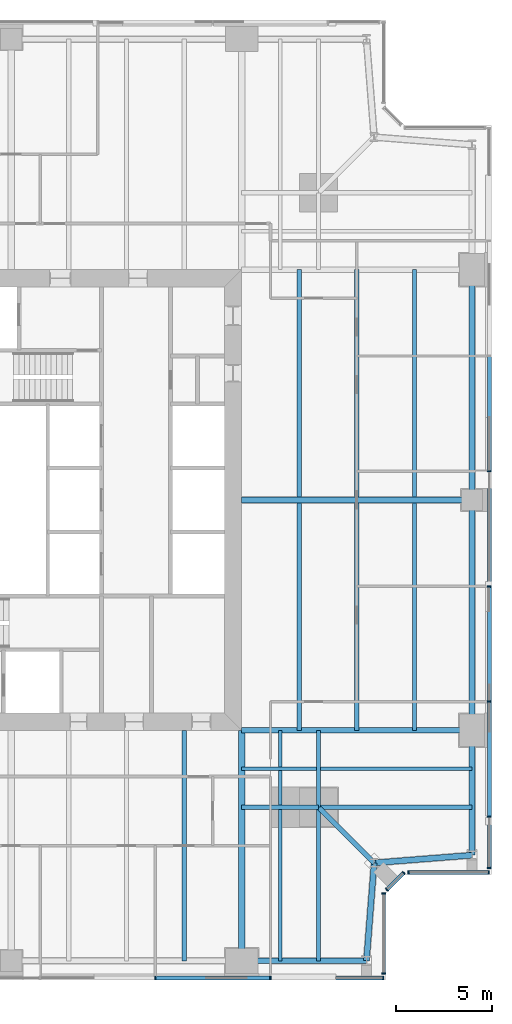
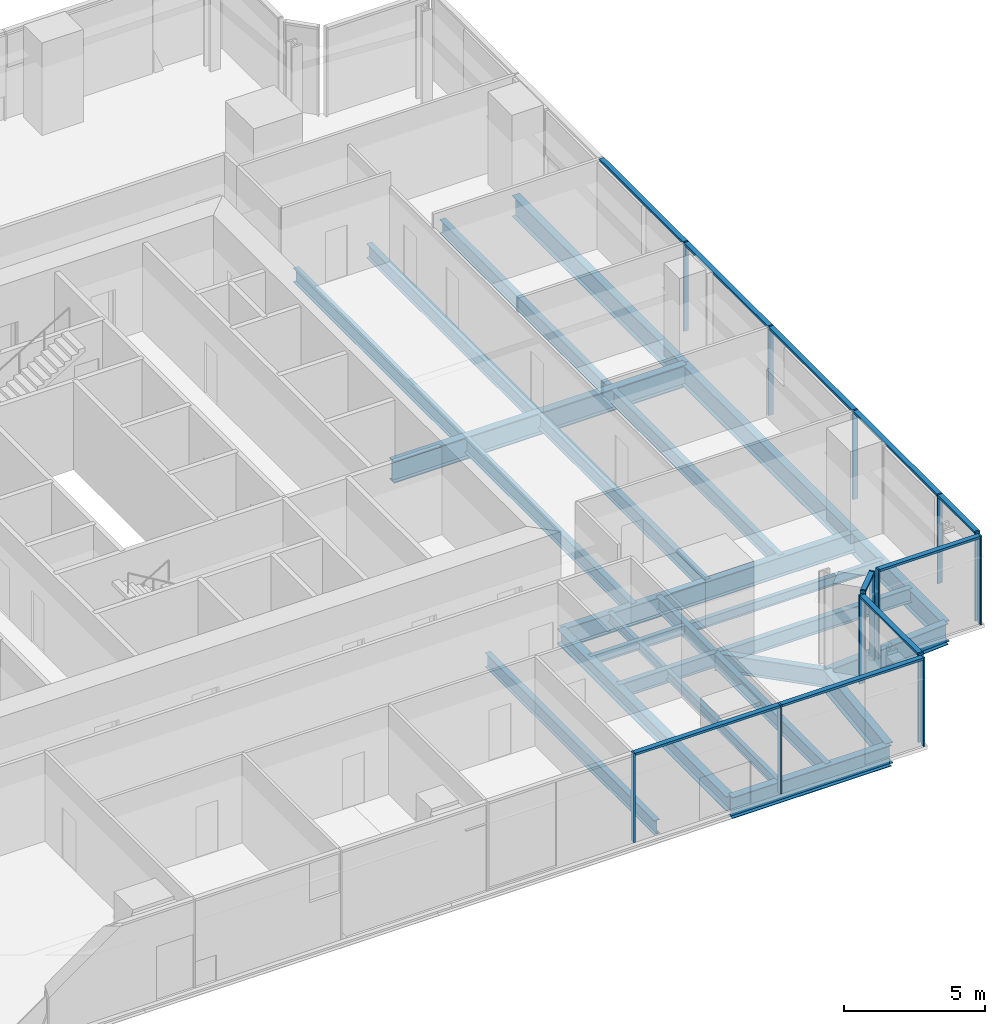
# One storey, part 5 of 14: 26 beams, 24 members, 5 elements without a shape of their own.
"""IFC4 building model written with IfcOpenShell, lengths in metres."""

from ifc_helpers import new_model, si_unit, direction, frame, origin, origin_2d, place, context, subcontext, project, spatial, rectangle, i_section, extrude, material, material_profile, profile_set, type_object, element, aggregate, save


model = new_model("IFC4")

# Units and contexts
model_context = context("Model", 3, precision=1e-05, world=origin(), true_north=direction((0.0, 1.0)))
body_context = subcontext(model_context, "Body", "Model", "MODEL_VIEW")
ifc_project = project(units=[si_unit("LENGTHUNIT", "METRE"), si_unit("AREAUNIT", "SQUARE_METRE"), si_unit("VOLUMEUNIT", "CUBIC_METRE"), si_unit("PLANEANGLEUNIT", "RADIAN"), si_unit("MASSUNIT", "GRAM", prefix="KILO")], contexts=[model_context])

# Site, building, storey
site_placement = place(None, origin())
site = spatial("IfcSite", under=ifc_project, at=site_placement, CompositionType="ELEMENT")
building_placement = place(site_placement, origin())
building = spatial("IfcBuilding", under=site, at=building_placement, Name="Fenwick Lantern Interchange", CompositionType="ELEMENT")
storey_placement = place(building_placement, frame((0.0, 0.0, 225.800048828125)))
storey = spatial("IfcBuildingStorey", under=building, at=storey_placement, Name="L53", CompositionType="ELEMENT", Elevation=225.800048828125)

# Beams
ifc_material_1 = material(Name="Steel ASTM A992 Grade 50", Category="steel")
ifc_material_profile_1 = material_profile(ifc_material_1, i_section(OverallWidth=0.3046875, OverallDepth=0.911865234375, WebThickness=0.015869140625, FlangeThickness=0.02392578125, at=origin_2d()), Name="W36X150")
ifc_profile_set_1 = profile_set([ifc_material_profile_1], Name="Steel ASTM A992 Grade 50")
beam_type_1 = type_object("IfcBeamType", Name="EDGE BEAM W36X150", PredefinedType="SPANDREL", material=ifc_profile_set_1)
beam_1_placement = place(storey_placement, frame((37.0, 1.0, -0.60595703125), z_axis=(1.0, 0.0, 0.0), x_axis=(0.0, 1.0, 0.0)))
element("IfcBeam", 1, at=beam_1_placement, inside=storey, type_object=beam_type_1, Name="L53/FR/S/EB4", PredefinedType="SPANDREL", context=body_context, shape_type="SweptSolid", body=[
    extrude(i_section(OverallWidth=0.3046875, OverallDepth=0.911865234375, WebThickness=0.015869140625, FlangeThickness=0.02392578125, at=origin_2d()), origin(), (0.0, 0.0, 1.0), 6.5),
])
for number, where, z_axis, x_axis, name in (
    (2, (43.5, 1.0, -0.60595703125), (0.078170784639, 0.99693998236, 0.0), (-0.99693998236, 0.078170784639, 0.0), "L53/FR/S/EBR1"),
    (3, (43.89990234375, 6.10009765625, -0.60595703125), (0.99693998236, 0.078170784639, 0.0), (-0.078170784639, 0.99693998236, 0.0), "L53/FR/S/EBR2"),
):
    element("IfcBeam", number, at=place(storey_placement, frame(where, z_axis=z_axis, x_axis=x_axis)), inside=storey, type_object=beam_type_1, Name=name, PredefinedType="SPANDREL", context=body_context, shape_type="SweptSolid", body=[
        extrude(i_section(OverallWidth=0.3046875, OverallDepth=0.911865234375, WebThickness=0.015869140625, FlangeThickness=0.02392578125, at=origin_2d()), origin(), (0.0, 0.0, 1.0), 5.11572265625),
    ])
beam_2_placement = place(storey_placement, frame((49.0, 6.5, -0.60595703125), z_axis=(0.0, 1.0, 0.0), x_axis=(-1.0, 0.0, 0.0)))
element("IfcBeam", 4, at=beam_2_placement, inside=storey, type_object=beam_type_1, Name="L53/FR/E/EB1", PredefinedType="SPANDREL", context=body_context, shape_type="SweptSolid", body=[
    extrude(i_section(OverallWidth=0.3046875, OverallDepth=0.911865234375, WebThickness=0.015869140625, FlangeThickness=0.02392578125, at=origin_2d()), origin(), (0.0, 0.0, 1.0), 6.5),
])
for number, where, z_axis, x_axis, name in (
    (5, (49.0, 13.0, -0.60595703125), (0.0, 1.0, 0.0), (-1.0, 0.0, 0.0), "L53/FR/E/EB2"),
    (6, (49.0, 25.0, -0.60595703125), (0.0, 1.0, 0.0), (-1.0, 0.0, 0.0), "L53/FR/E/EB3"),
):
    element("IfcBeam", number, at=place(storey_placement, frame(where, z_axis=z_axis, x_axis=x_axis)), inside=storey, type_object=beam_type_1, Name=name, PredefinedType="SPANDREL", context=body_context, shape_type="SweptSolid", body=[
        extrude(i_section(OverallWidth=0.3046875, OverallDepth=0.911865234375, WebThickness=0.015869140625, FlangeThickness=0.02392578125, at=origin_2d()), origin(), (0.0, 0.0, 1.0), 12.0),
    ])
ifc_material_profile_2 = material_profile(ifc_material_1, i_section(OverallWidth=0.22900390625, OverallDepth=0.612060546875, WebThickness=0.011962890625, FlangeThickness=0.01953125, at=origin_2d()), Name="W24X84")
ifc_profile_set_2 = profile_set([ifc_material_profile_2], Name="Steel ASTM A992 Grade 50")
beam_type_2 = type_object("IfcBeamType", Name="FLOOR BEAM W24X84", PredefinedType="BEAM", material=ifc_profile_set_2)
beam_3_placement = place(storey_placement, frame((34.0, 1.0, -0.4560546875), z_axis=(0.0, 1.0, 0.0), x_axis=(-1.0, 0.0, 0.0)))
element("IfcBeam", 7, at=beam_3_placement, inside=storey, type_object=beam_type_2, Name="L53/FR/S/R08", PredefinedType="BEAM", context=body_context, shape_type="SweptSolid", body=[
    extrude(i_section(OverallWidth=0.22900390625, OverallDepth=0.612060546875, WebThickness=0.011962890625, FlangeThickness=0.01953125, at=origin_2d()), origin(), (0.0, 0.0, 1.0), 12.0),
])
for number, where, z_axis, x_axis, name in (
    (8, (46.0, 13.0, -0.4560546875), (0.0, 1.0, 0.0), (-1.0, 0.0, 0.0), "L53/FR/E/B01"),
    (9, (43.0, 13.0, -0.4560546875), (0.0, 1.0, 0.0), (-1.0, 0.0, 0.0), "L53/FR/E/B02"),
    (10, (40.0, 13.0, -0.4560546875), (0.0, 1.0, 0.0), (-1.0, 0.0, 0.0), "L53/FR/E/B03"),
    (11, (46.0, 25.155029296875, -0.4560546875), (0.0, 1.0, 0.0), (-1.0, 0.0, 0.0), "L53/FR/E/B04"),
    (12, (43.0, 25.155029296875, -0.4560546875), (0.0, 1.0, 0.0), (-1.0, 0.0, 0.0), "L53/FR/E/B05"),
    (13, (40.0, 25.155029296875, -0.4560546875), (0.0, 1.0, 0.0), (-1.0, 0.0, 0.0), "L53/FR/E/B06"),
):
    element("IfcBeam", number, at=place(storey_placement, frame(where, z_axis=z_axis, x_axis=x_axis)), inside=storey, type_object=beam_type_2, Name=name, PredefinedType="BEAM", context=body_context, shape_type="SweptSolid", body=[
        extrude(i_section(OverallWidth=0.22900390625, OverallDepth=0.612060546875, WebThickness=0.011962890625, FlangeThickness=0.01953125, at=origin_2d()), origin(), (0.0, 0.0, 1.0), 11.844970703125),
    ])
ifc_material_profile_3 = material_profile(ifc_material_1, i_section(OverallWidth=0.177734375, OverallDepth=0.406494140625, WebThickness=0.0078125, FlangeThickness=0.012939453125, at=origin_2d()), Name="W16X40")
ifc_profile_set_3 = profile_set([ifc_material_profile_3], Name="Steel ASTM A992 Grade 50")
beam_type_3 = type_object("IfcBeamType", Name="INFILL BEAM W16X40", PredefinedType="JOIST", material=ifc_profile_set_3)
beam_4_placement = place(storey_placement, frame((49.0, 11.0, -0.353271484375), z_axis=(-1.0, 0.0, 0.0), x_axis=(0.0, -1.0, 0.0)))
element("IfcBeam", 14, at=beam_4_placement, inside=storey, type_object=beam_type_3, Name="L53/FR/E/J1", PredefinedType="JOIST", context=body_context, shape_type="SweptSolid", body=[
    extrude(i_section(OverallWidth=0.177734375, OverallDepth=0.406494140625, WebThickness=0.0078125, FlangeThickness=0.012939453125, at=origin_2d()), origin(), (0.0, 0.0, 1.0), 7.885498046875),
])
beam_5_placement = place(storey_placement, frame((40.885498046875, 11.0, -0.353271484375), z_axis=(-1.0, 0.0, 0.0), x_axis=(0.0, -1.0, 0.0)))
element("IfcBeam", 15, at=beam_5_placement, inside=storey, type_object=beam_type_3, Name="L53/FR/E/J2", PredefinedType="JOIST", context=body_context, shape_type="SweptSolid", body=[
    extrude(i_section(OverallWidth=0.177734375, OverallDepth=0.406494140625, WebThickness=0.0078125, FlangeThickness=0.012939453125, at=origin_2d()), origin(), (0.0, 0.0, 1.0), 3.885498046875),
])
beam_6_placement = place(storey_placement, frame((39.0, 1.0, -0.353271484375), z_axis=(0.0, 1.0, 0.0), x_axis=(-1.0, 0.0, 0.0)))
element("IfcBeam", 16, at=beam_6_placement, inside=storey, type_object=beam_type_3, Name="L53/FR/E/J3", PredefinedType="JOIST", context=body_context, shape_type="SweptSolid", body=[
    extrude(i_section(OverallWidth=0.177734375, OverallDepth=0.406494140625, WebThickness=0.0078125, FlangeThickness=0.012939453125, at=origin_2d()), origin(), (0.0, 0.0, 1.0), 7.885498046875),
])
beam_7_placement = place(storey_placement, frame((39.0, 9.114501953125, -0.353271484375), z_axis=(0.0, 1.0, 0.0), x_axis=(-1.0, 0.0, 0.0)))
element("IfcBeam", 17, at=beam_7_placement, inside=storey, type_object=beam_type_3, Name="L53/FR/E/J4", PredefinedType="JOIST", context=body_context, shape_type="SweptSolid", body=[
    extrude(i_section(OverallWidth=0.177734375, OverallDepth=0.406494140625, WebThickness=0.0078125, FlangeThickness=0.012939453125, at=origin_2d()), origin(), (0.0, 0.0, 1.0), 1.796630859375),
])
beam_8_placement = place(storey_placement, frame((39.0, 11.0888671875, -0.353271484375), z_axis=(0.0, 1.0, 0.0), x_axis=(-1.0, 0.0, 0.0)))
element("IfcBeam", 18, at=beam_8_placement, inside=storey, type_object=beam_type_3, Name="L53/FR/E/J5", PredefinedType="JOIST", context=body_context, shape_type="SweptSolid", body=[
    extrude(i_section(OverallWidth=0.177734375, OverallDepth=0.406494140625, WebThickness=0.0078125, FlangeThickness=0.012939453125, at=origin_2d()), origin(), (0.0, 0.0, 1.0), 1.9111328125),
])
ifc_material_profile_4 = material_profile(ifc_material_1, i_section(OverallWidth=0.22900390625, OverallDepth=0.612060546875, WebThickness=0.011962890625, FlangeThickness=0.01953125, at=origin_2d()), Name="W24X84")
ifc_profile_set_4 = profile_set([ifc_material_profile_4], Name="Steel ASTM A992 Grade 50")
beam_type_4 = type_object("IfcBeamType", Name="MEGA COLUMN BEAM W24X84", PredefinedType="BEAM", material=ifc_profile_set_4)
for number, where, z_axis, x_axis, name in (
    (19, (41.0, 9.0, -0.4560546875), (1.0, 0.0, 0.0), (0.0, 1.0, 0.0), "L53/FR/E/MB1"),
    (20, (41.0, 9.0, -0.4560546875), (0.0, -1.0, 0.0), (1.0, 0.0, 0.0), "L53/FR/E/MB2"),
):
    element("IfcBeam", number, at=place(storey_placement, frame(where, z_axis=z_axis, x_axis=x_axis)), inside=storey, type_object=beam_type_4, Name=name, PredefinedType="BEAM", context=body_context, shape_type="SweptSolid", body=[
        extrude(i_section(OverallWidth=0.22900390625, OverallDepth=0.612060546875, WebThickness=0.011962890625, FlangeThickness=0.01953125, at=origin_2d()), origin(), (0.0, 0.0, 1.0), 8.0),
    ])
for number, where, z_axis, x_axis, name in (
    (21, (41.0, 9.0, -0.4560546875), (0.0, 1.0, 0.0), (-1.0, 0.0, 0.0), "L53/FR/E/MB3"),
    (22, (41.0, 9.0, -0.4560546875), (-1.0, 0.0, 0.0), (0.0, -1.0, 0.0), "L53/FR/E/MB4"),
):
    element("IfcBeam", number, at=place(storey_placement, frame(where, z_axis=z_axis, x_axis=x_axis)), inside=storey, type_object=beam_type_4, Name=name, PredefinedType="BEAM", context=body_context, shape_type="SweptSolid", body=[
        extrude(i_section(OverallWidth=0.22900390625, OverallDepth=0.612060546875, WebThickness=0.011962890625, FlangeThickness=0.01953125, at=origin_2d()), origin(), (0.0, 0.0, 1.0), 4.0),
    ])
ifc_material_profile_5 = material_profile(ifc_material_1, i_section(OverallWidth=0.32763671875, OverallDepth=0.622314453125, WebThickness=0.015380859375, FlangeThickness=0.0244140625, at=origin_2d()), Name="W24X131")
ifc_profile_set_5 = profile_set([ifc_material_profile_5], Name="Steel ASTM A992 Grade 50")
beam_type_5 = type_object("IfcBeamType", Name="MOMENT-CONNECTED GIRDER W24X131", PredefinedType="BEAM", material=ifc_profile_set_5)
beam_9_placement = place(storey_placement, frame((37.0, 1.0, -0.461181640625), z_axis=(0.0, 1.0, 0.0), x_axis=(-1.0, 0.0, 0.0)))
element("IfcBeam", 23, at=beam_9_placement, inside=storey, type_object=beam_type_5, Name="L53/FR/S/R09", PredefinedType="BEAM", context=body_context, shape_type="SweptSolid", body=[
    extrude(i_section(OverallWidth=0.32763671875, OverallDepth=0.622314453125, WebThickness=0.015380859375, FlangeThickness=0.0244140625, at=origin_2d()), origin(), (0.0, 0.0, 1.0), 12.0),
])
ifc_material_profile_6 = material_profile(ifc_material_1, i_section(OverallWidth=0.2919921875, OverallDepth=0.845703125, WebThickness=0.015380859375, FlangeThickness=0.0244140625, at=origin_2d()), Name="W33X141")
ifc_profile_set_6 = profile_set([ifc_material_profile_6], Name="Steel ASTM A992 Grade 50")
beam_type_6 = type_object("IfcBeamType", Name="MOMENT-CONNECTED GIRDER W33X141", PredefinedType="BEAM", material=ifc_profile_set_6)
beam_10_placement = place(storey_placement, frame((49.0, 13.0, -0.572998046875), z_axis=(-1.0, 0.0, 0.0), x_axis=(0.0, -1.0, 0.0)))
element("IfcBeam", 24, at=beam_10_placement, inside=storey, type_object=beam_type_6, Name="L53/FR/E/R01", PredefinedType="BEAM", context=body_context, shape_type="SweptSolid", body=[
    extrude(i_section(OverallWidth=0.2919921875, OverallDepth=0.845703125, WebThickness=0.015380859375, FlangeThickness=0.0244140625, at=origin_2d()), origin(), (0.0, 0.0, 1.0), 12.0),
])
ifc_material_profile_7 = material_profile(ifc_material_1, i_section(OverallWidth=0.309814453125, OverallDepth=0.949951171875, WebThickness=0.0244140625, FlangeThickness=0.0439453125, at=origin_2d()), Name="W36X256")
ifc_profile_set_7 = profile_set([ifc_material_profile_7], Name="Steel ASTM A992 Grade 50")
beam_type_7 = type_object("IfcBeamType", Name="MOMENT-CONNECTED GIRDER W36X256", PredefinedType="BEAM", material=ifc_profile_set_7)
beam_11_placement = place(storey_placement, frame((49.0, 25.0, -0.625), z_axis=(-1.0, 0.0, 0.0), x_axis=(0.0, -1.0, 0.0)))
element("IfcBeam", 25, at=beam_11_placement, inside=storey, type_object=beam_type_7, Name="L53/FR/E/R02", PredefinedType="BEAM", context=body_context, shape_type="SweptSolid", body=[
    extrude(i_section(OverallWidth=0.309814453125, OverallDepth=0.949951171875, WebThickness=0.0244140625, FlangeThickness=0.0439453125, at=origin_2d()), origin(), (0.0, 0.0, 1.0), 12.0),
])
ifc_material_profile_8 = material_profile(ifc_material_1, i_section(OverallWidth=0.2666015625, OverallDepth=0.7568359375, WebThickness=0.013916015625, FlangeThickness=0.019287109375, at=origin_2d()), Name="W30X108")
ifc_profile_set_8 = profile_set([ifc_material_profile_8], Name="Steel ASTM A992 Grade 50")
beam_type_8 = type_object("IfcBeamType", Name="NOTCH BEAM W30X108", PredefinedType="BEAM", material=ifc_profile_set_8)
beam_12_placement = place(storey_placement, frame((41.0, 9.0, -0.528564453125), z_axis=(0.707106781187, -0.707106781187, 0.0), x_axis=(0.707106781187, 0.707106781187, 0.0)))
element("IfcBeam", 26, at=beam_12_placement, inside=storey, type_object=beam_type_8, Name="L53/FR/E/TG", PredefinedType="BEAM", context=body_context, shape_type="SweptSolid", body=[
    extrude(i_section(OverallWidth=0.2666015625, OverallDepth=0.7568359375, WebThickness=0.013916015625, FlangeThickness=0.019287109375, at=origin_2d()), origin(), (0.0, 0.0, 1.0), 4.10107421875),
])

# Curtain wall, members
ifc_material_2 = material(Name="Aluminium curtain wall frame", Category="aluminium")
curtain_wall_type = type_object("IfcCurtainWallType", Name="OFFICE CURTAIN WALL", PredefinedType="USERDEFINED", material=ifc_material_2)
curtain_wall_1_placement = place(storey_placement, origin())
curtain_wall_1 = element("IfcCurtainWall", 27, at=curtain_wall_1_placement, inside=storey, type_object=curtain_wall_type, Name="Office curtain wall 01", ObjectType="OFFICE CURTAIN WALL", PredefinedType="USERDEFINED")
ifc_material_3 = material(Name="Aluminium extrusion", Category="aluminium")
ifc_material_profile_9 = material_profile(ifc_material_3, rectangle(XDim=0.199951171875, YDim=0.06494140625, at=origin_2d()), Name="OFFICE CURTAIN WALL MULLION 65 X 200")
ifc_profile_set_9 = profile_set([ifc_material_profile_9], Name="Aluminium extrusion")
member_type_1 = type_object("IfcMemberType", Name="OFFICE CURTAIN WALL MULLION 65 X 200", PredefinedType="MULLION", material=ifc_profile_set_9)
member_1_placement = place(storey_placement, frame((32.5, 0.10009765625, 0.0), z_axis=(0.0, 0.0, 1.0), x_axis=(0.0, 1.0, 0.0)))
member_1 = element("IfcMember", 28, at=member_1_placement, type_object=member_type_1, Name="L53/CW/01/M05", PredefinedType="MULLION", context=body_context, shape_type="SweptSolid", body=[
    extrude(rectangle(XDim=0.199951171875, YDim=0.06494140625, at=origin_2d()), origin(), (0.0, 0.0, 1.0), 3.849853515625),
])
member_2_placement = place(storey_placement, frame((38.5, 0.10009765625, 0.0), z_axis=(0.0, 0.0, 1.0), x_axis=(0.0, 1.0, 0.0)))
member_2 = element("IfcMember", 29, at=member_2_placement, type_object=member_type_1, Name="L53/CW/01/M06", PredefinedType="MULLION", context=body_context, shape_type="SweptSolid", body=[
    extrude(rectangle(XDim=0.199951171875, YDim=0.06494140625, at=origin_2d()), origin(), (0.0, 0.0, 1.0), 3.849853515625),
])
member_3_placement = place(storey_placement, frame((44.367431640625, 0.10009765625, 0.0), z_axis=(0.0, 0.0, 1.0), x_axis=(0.0, 1.0, 0.0)))
member_3 = element("IfcMember", 30, at=member_3_placement, type_object=member_type_1, Name="L53/CW/01/M07", PredefinedType="MULLION", context=body_context, shape_type="SweptSolid", body=[
    extrude(rectangle(XDim=0.199951171875, YDim=0.06494140625, at=origin_2d()), origin(), (0.0, 0.0, 1.0), 3.849853515625),
])

curtain_wall_2_placement = place(storey_placement, origin())
curtain_wall_2 = element("IfcCurtainWall", 31, at=curtain_wall_2_placement, inside=storey, type_object=curtain_wall_type, Name="Office curtain wall 02", ObjectType="OFFICE CURTAIN WALL", PredefinedType="USERDEFINED")
member_4_placement = place(storey_placement, frame((44.39990234375, 0.33251953125, 0.0), z_axis=(0.0, 0.0, 1.0), x_axis=(-1.0, 0.0, 0.0)))
member_4 = element("IfcMember", 32, at=member_4_placement, type_object=member_type_1, Name="L53/CW/02/M00", PredefinedType="MULLION", context=body_context, shape_type="SweptSolid", body=[
    extrude(rectangle(XDim=0.199951171875, YDim=0.06494140625, at=origin_2d()), origin(), (0.0, 0.0, 1.0), 3.849853515625),
])
member_5_placement = place(storey_placement, frame((44.39990234375, 4.509033203125, 0.0), z_axis=(0.0, 0.0, 1.0), x_axis=(-1.0, 0.0, 0.0)))
member_5 = element("IfcMember", 33, at=member_5_placement, type_object=member_type_1, Name="L53/CW/02/M01", PredefinedType="MULLION", context=body_context, shape_type="SweptSolid", body=[
    extrude(rectangle(XDim=0.199951171875, YDim=0.06494140625, at=origin_2d()), origin(), (0.0, 0.0, 1.0), 3.849853515625),
])

curtain_wall_3_placement = place(storey_placement, origin())
curtain_wall_3 = element("IfcCurtainWall", 34, at=curtain_wall_3_placement, inside=storey, type_object=curtain_wall_type, Name="Office curtain wall 03", ObjectType="OFFICE CURTAIN WALL", PredefinedType="USERDEFINED")
member_6_placement = place(storey_placement, frame((44.564453125, 4.705810546875, 0.0), z_axis=(0.0, 0.0, 1.0), x_axis=(-0.707106781187, 0.707106781187, 0.0)))
member_6 = element("IfcMember", 35, at=member_6_placement, type_object=member_type_1, Name="L53/CW/03/M00", PredefinedType="MULLION", context=body_context, shape_type="SweptSolid", body=[
    extrude(rectangle(XDim=0.199951171875, YDim=0.06494140625, at=origin_2d()), origin(), (0.0, 0.0, 1.0), 3.849853515625),
])
member_7_placement = place(storey_placement, frame((45.435546875, 5.576904296875, 0.0), z_axis=(0.0, 0.0, 1.0), x_axis=(-0.707106781187, 0.707106781187, 0.0)))
member_7 = element("IfcMember", 36, at=member_7_placement, type_object=member_type_1, Name="L53/CW/03/M01", PredefinedType="MULLION", context=body_context, shape_type="SweptSolid", body=[
    extrude(rectangle(XDim=0.199951171875, YDim=0.06494140625, at=origin_2d()), origin(), (0.0, 0.0, 1.0), 3.849853515625),
])

curtain_wall_4_placement = place(storey_placement, origin())
curtain_wall_4 = element("IfcCurtainWall", 37, at=curtain_wall_4_placement, inside=storey, type_object=curtain_wall_type, Name="Office curtain wall 04", ObjectType="OFFICE CURTAIN WALL", PredefinedType="USERDEFINED")
member_8_placement = place(storey_placement, frame((45.691162109375, 5.60009765625, 0.0), z_axis=(0.0, 0.0, 1.0), x_axis=(0.0, 1.0, 0.0)))
member_8 = element("IfcMember", 38, at=member_8_placement, type_object=member_type_1, Name="L53/CW/04/M00", PredefinedType="MULLION", context=body_context, shape_type="SweptSolid", body=[
    extrude(rectangle(XDim=0.199951171875, YDim=0.06494140625, at=origin_2d()), origin(), (0.0, 0.0, 1.0), 3.849853515625),
])
member_9_placement = place(storey_placement, frame((49.867431640625, 5.60009765625, 0.0), z_axis=(0.0, 0.0, 1.0), x_axis=(0.0, 1.0, 0.0)))
member_9 = element("IfcMember", 39, at=member_9_placement, type_object=member_type_1, Name="L53/CW/04/M01", PredefinedType="MULLION", context=body_context, shape_type="SweptSolid", body=[
    extrude(rectangle(XDim=0.199951171875, YDim=0.06494140625, at=origin_2d()), origin(), (0.0, 0.0, 1.0), 3.849853515625),
])

curtain_wall_5_placement = place(storey_placement, origin())
curtain_wall_5 = element("IfcCurtainWall", 40, at=curtain_wall_5_placement, inside=storey, type_object=curtain_wall_type, Name="Office curtain wall 05", ObjectType="OFFICE CURTAIN WALL", PredefinedType="USERDEFINED")
member_10_placement = place(storey_placement, frame((49.89990234375, 5.83251953125, 0.0), z_axis=(0.0, 0.0, 1.0), x_axis=(-1.0, 0.0, 0.0)))
member_10 = element("IfcMember", 41, at=member_10_placement, type_object=member_type_1, Name="L53/CW/05/M00", PredefinedType="MULLION", context=body_context, shape_type="SweptSolid", body=[
    extrude(rectangle(XDim=0.199951171875, YDim=0.06494140625, at=origin_2d()), origin(), (0.0, 0.0, 1.0), 3.849853515625),
])
member_11_placement = place(storey_placement, frame((49.89990234375, 8.5, 0.0), z_axis=(0.0, 0.0, 1.0), x_axis=(-1.0, 0.0, 0.0)))
member_11 = element("IfcMember", 42, at=member_11_placement, type_object=member_type_1, Name="L53/CW/05/M01", PredefinedType="MULLION", context=body_context, shape_type="SweptSolid", body=[
    extrude(rectangle(XDim=0.199951171875, YDim=0.06494140625, at=origin_2d()), origin(), (0.0, 0.0, 1.0), 3.849853515625),
])
member_12_placement = place(storey_placement, frame((49.89990234375, 14.5, 0.0), z_axis=(0.0, 0.0, 1.0), x_axis=(-1.0, 0.0, 0.0)))
member_12 = element("IfcMember", 43, at=member_12_placement, type_object=member_type_1, Name="L53/CW/05/M02", PredefinedType="MULLION", context=body_context, shape_type="SweptSolid", body=[
    extrude(rectangle(XDim=0.199951171875, YDim=0.06494140625, at=origin_2d()), origin(), (0.0, 0.0, 1.0), 3.849853515625),
])
member_13_placement = place(storey_placement, frame((49.89990234375, 20.5, 0.0), z_axis=(0.0, 0.0, 1.0), x_axis=(-1.0, 0.0, 0.0)))
member_13 = element("IfcMember", 44, at=member_13_placement, type_object=member_type_1, Name="L53/CW/05/M03", PredefinedType="MULLION", context=body_context, shape_type="SweptSolid", body=[
    extrude(rectangle(XDim=0.199951171875, YDim=0.06494140625, at=origin_2d()), origin(), (0.0, 0.0, 1.0), 3.849853515625),
])
member_14_placement = place(storey_placement, frame((49.89990234375, 26.5, 0.0), z_axis=(0.0, 0.0, 1.0), x_axis=(-1.0, 0.0, 0.0)))
member_14 = element("IfcMember", 45, at=member_14_placement, type_object=member_type_1, Name="L53/CW/05/M04", PredefinedType="MULLION", context=body_context, shape_type="SweptSolid", body=[
    extrude(rectangle(XDim=0.199951171875, YDim=0.06494140625, at=origin_2d()), origin(), (0.0, 0.0, 1.0), 3.849853515625),
])

# Member
ifc_material_profile_10 = material_profile(ifc_material_3, rectangle(XDim=0.199951171875, YDim=0.10009765625, at=origin_2d()), Name="OFFICE CURTAIN WALL TRANSOM 100 X 200")
ifc_profile_set_10 = profile_set([ifc_material_profile_10], Name="Aluminium extrusion")
member_type_2 = type_object("IfcMemberType", Name="OFFICE CURTAIN WALL TRANSOM 100 X 200", PredefinedType="MULLION", material=ifc_profile_set_10)
member_15_placement = place(storey_placement, frame((32.532470703125, 0.10009765625, 3.800048828125), z_axis=(1.0, 0.0, 0.0), x_axis=(0.0, 1.0, 0.0)))
member_15 = element("IfcMember", 46, at=member_15_placement, type_object=member_type_2, Name="L53/CW/01/T05", PredefinedType="MULLION", context=body_context, shape_type="SweptSolid", body=[
    extrude(rectangle(XDim=0.199951171875, YDim=0.10009765625, at=origin_2d()), origin(), (0.0, 0.0, 1.0), 5.93505859375),
])

member_16_placement = place(storey_placement, frame((38.532470703125, 0.10009765625, 3.800048828125), z_axis=(1.0, 0.0, 0.0), x_axis=(0.0, 1.0, 0.0)))
member_16 = element("IfcMember", 47, at=member_16_placement, type_object=member_type_2, Name="L53/CW/01/T06", PredefinedType="MULLION", context=body_context, shape_type="SweptSolid", body=[
    extrude(rectangle(XDim=0.199951171875, YDim=0.10009765625, at=origin_2d()), origin(), (0.0, 0.0, 1.0), 5.802490234375),
])

aggregate(curtain_wall_1, [member_1, member_2, member_3, member_15, member_16])

member_17_placement = place(storey_placement, frame((44.39990234375, 0.364990234375, 3.800048828125), z_axis=(0.0, 1.0, 0.0), x_axis=(-1.0, 0.0, 0.0)))
member_17 = element("IfcMember", 48, at=member_17_placement, type_object=member_type_2, Name="L53/CW/02/T00", PredefinedType="MULLION", context=body_context, shape_type="SweptSolid", body=[
    extrude(rectangle(XDim=0.199951171875, YDim=0.10009765625, at=origin_2d()), origin(), (0.0, 0.0, 1.0), 4.111328125),
])

aggregate(curtain_wall_2, [member_4, member_5, member_17])

member_18_placement = place(storey_placement, frame((44.58740234375, 4.728759765625, 3.800048828125), z_axis=(0.707106781187, 0.707106781187, 0.0), x_axis=(-0.707106781187, 0.707106781187, 0.0)))
member_18 = element("IfcMember", 49, at=member_18_placement, type_object=member_type_2, Name="L53/CW/03/T00", PredefinedType="MULLION", context=body_context, shape_type="SweptSolid", body=[
    extrude(rectangle(XDim=0.199951171875, YDim=0.10009765625, at=origin_2d()), origin(), (0.0, 0.0, 1.0), 1.1669921875),
])

aggregate(curtain_wall_3, [member_6, member_7, member_18])

member_19_placement = place(storey_placement, frame((45.7236328125, 5.60009765625, 3.800048828125), z_axis=(1.0, 0.0, 0.0), x_axis=(0.0, 1.0, 0.0)))
member_19 = element("IfcMember", 50, at=member_19_placement, type_object=member_type_2, Name="L53/CW/04/T00", PredefinedType="MULLION", context=body_context, shape_type="SweptSolid", body=[
    extrude(rectangle(XDim=0.199951171875, YDim=0.10009765625, at=origin_2d()), origin(), (0.0, 0.0, 1.0), 4.111328125),
])

aggregate(curtain_wall_4, [member_8, member_9, member_19])

member_20_placement = place(storey_placement, frame((49.89990234375, 5.864990234375, 3.800048828125), z_axis=(0.0, 1.0, 0.0), x_axis=(-1.0, 0.0, 0.0)))
member_20 = element("IfcMember", 51, at=member_20_placement, type_object=member_type_2, Name="L53/CW/05/T00", PredefinedType="MULLION", context=body_context, shape_type="SweptSolid", body=[
    extrude(rectangle(XDim=0.199951171875, YDim=0.10009765625, at=origin_2d()), origin(), (0.0, 0.0, 1.0), 2.6025390625),
])

member_21_placement = place(storey_placement, frame((49.89990234375, 8.532470703125, 3.800048828125), z_axis=(0.0, 1.0, 0.0), x_axis=(-1.0, 0.0, 0.0)))
member_21 = element("IfcMember", 52, at=member_21_placement, type_object=member_type_2, Name="L53/CW/05/T01", PredefinedType="MULLION", context=body_context, shape_type="SweptSolid", body=[
    extrude(rectangle(XDim=0.199951171875, YDim=0.10009765625, at=origin_2d()), origin(), (0.0, 0.0, 1.0), 5.93505859375),
])

member_22_placement = place(storey_placement, frame((49.89990234375, 14.532470703125, 3.800048828125), z_axis=(0.0, 1.0, 0.0), x_axis=(-1.0, 0.0, 0.0)))
member_22 = element("IfcMember", 53, at=member_22_placement, type_object=member_type_2, Name="L53/CW/05/T02", PredefinedType="MULLION", context=body_context, shape_type="SweptSolid", body=[
    extrude(rectangle(XDim=0.199951171875, YDim=0.10009765625, at=origin_2d()), origin(), (0.0, 0.0, 1.0), 5.93505859375),
])

member_23_placement = place(storey_placement, frame((49.89990234375, 20.532470703125, 3.800048828125), z_axis=(0.0, 1.0, 0.0), x_axis=(-1.0, 0.0, 0.0)))
member_23 = element("IfcMember", 54, at=member_23_placement, type_object=member_type_2, Name="L53/CW/05/T03", PredefinedType="MULLION", context=body_context, shape_type="SweptSolid", body=[
    extrude(rectangle(XDim=0.199951171875, YDim=0.10009765625, at=origin_2d()), origin(), (0.0, 0.0, 1.0), 5.93505859375),
])

member_24_placement = place(storey_placement, frame((49.89990234375, 26.532470703125, 3.800048828125), z_axis=(0.0, 1.0, 0.0), x_axis=(-1.0, 0.0, 0.0)))
member_24 = element("IfcMember", 55, at=member_24_placement, type_object=member_type_2, Name="L53/CW/05/T04", PredefinedType="MULLION", context=body_context, shape_type="SweptSolid", body=[
    extrude(rectangle(XDim=0.199951171875, YDim=0.10009765625, at=origin_2d()), origin(), (0.0, 0.0, 1.0), 5.93505859375),
])

aggregate(curtain_wall_5, [member_10, member_11, member_12, member_13, member_14, member_20, member_21, member_22, member_23, member_24])

save(model, "model.ifc")
